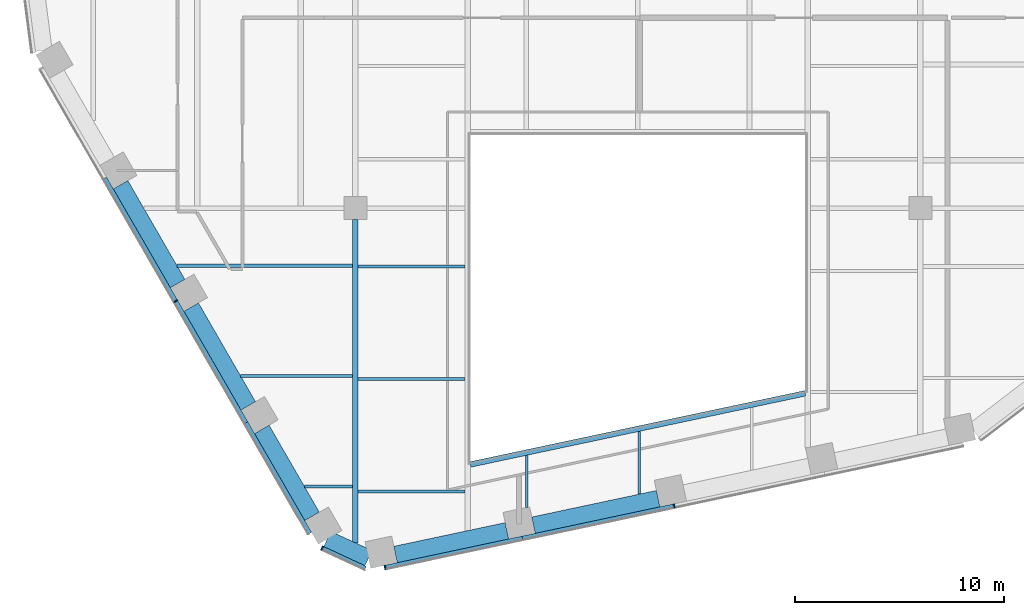
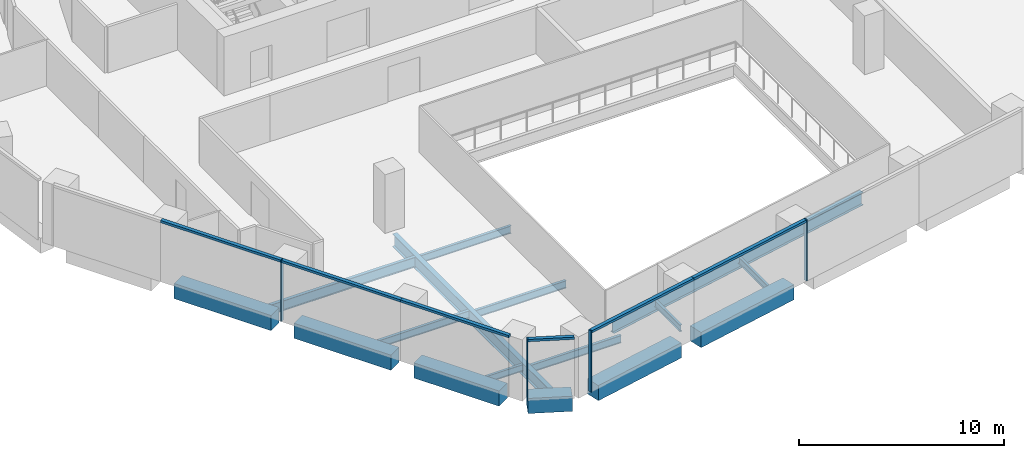
# One storey, part 2 of 17: 16 beams, 10 members, 3 elements without a shape of their own.
"""IFC4 building model written with IfcOpenShell, lengths in metres."""

from ifc_helpers import new_model, si_unit, direction, frame, origin, origin_2d, place, context, subcontext, project, spatial, rectangle, i_section, extrude, material, layer, layer_set, material_profile, profile_set, type_object, element, aggregate, save


model = new_model("IFC4")

# Units and contexts
model_context = context("Model", 3, precision=1e-05, world=origin(), true_north=direction((0.0, 1.0)))
body_context = subcontext(model_context, "Body", "Model", "MODEL_VIEW")
ifc_project = project(units=[si_unit("LENGTHUNIT", "METRE"), si_unit("AREAUNIT", "SQUARE_METRE"), si_unit("VOLUMEUNIT", "CUBIC_METRE"), si_unit("PLANEANGLEUNIT", "RADIAN"), si_unit("MASSUNIT", "GRAM", prefix="KILO")], contexts=[model_context])

# Site, building, storey
site_placement = place(None, origin())
site = spatial("IfcSite", under=ifc_project, at=site_placement, CompositionType="ELEMENT")
building_placement = place(site_placement, origin())
building = spatial("IfcBuilding", under=site, at=building_placement, Name="Isthmus Gate Tower", CompositionType="ELEMENT")
storey_placement = place(building_placement, frame((0.0, 0.0, 181.75)))
storey = spatial("IfcBuildingStorey", under=building, at=storey_placement, Name="L45", CompositionType="ELEMENT", Elevation=181.75)

# Curtain wall, member
ifc_material_1 = material(Name="Aluminium, pale champagne anodised", Category="aluminium")
ifc_layer = layer(ifc_material_1, 0.199951171875)
ifc_layer_set = layer_set([ifc_layer], Name="CW-1 UNITISED CURTAIN WALL 200 DEEP")
curtain_wall_type = type_object("IfcCurtainWallType", Name="CW-1 UNITISED CURTAIN WALL 200 DEEP", PredefinedType="NOTDEFINED", material=ifc_layer_set)
curtain_wall_1_placement = place(storey_placement, origin())
curtain_wall_1 = element("IfcCurtainWall", 1, at=curtain_wall_1_placement, inside=storey, type_object=curtain_wall_type, Name="CW-1 SW L45", PredefinedType="NOTDEFINED")
ifc_material_2 = material(Name="Aluminium, pale champagne anodised", Category="aluminium")
ifc_material_profile_1 = material_profile(ifc_material_2, rectangle(XDim=0.06005859375, YDim=0.199951171875, at=origin_2d()), Name="60x200")
ifc_profile_set_1 = profile_set([ifc_material_profile_1], Name="Aluminium, pale champagne anodised")
member_type_1 = type_object("IfcMemberType", Name="CW-1 MULLION 60 X 200", PredefinedType="MULLION", material=ifc_profile_set_1)
member_1_placement = place(storey_placement, frame((-22.08935546875, -17.93994140625, 0.0), z_axis=(0.0, 0.0, 1.0), x_axis=(0.5, -0.866025403784, 0.0)))
member_1 = element("IfcMember", 2, at=member_1_placement, type_object=member_type_1, Name="CW-1 mullion", PredefinedType="MULLION", context=body_context, shape_type="SweptSolid", body=[
    extrude(rectangle(XDim=0.06005859375, YDim=0.199951171875, at=origin_2d()), origin(), (0.0, 0.0, 1.0), 3.64990234375),
])

curtain_wall_2_placement = place(storey_placement, origin())
curtain_wall_2 = element("IfcCurtainWall", 3, at=curtain_wall_2_placement, inside=storey, type_object=curtain_wall_type, Name="CW-1 SW-S L45", PredefinedType="NOTDEFINED")
member_2_placement = place(storey_placement, frame((-15.091064453125, -29.74755859375, 0.0), z_axis=(0.0, 0.0, 1.0), x_axis=(0.907256261367, -0.420578264073, 0.0)))
member_2 = element("IfcMember", 4, at=member_2_placement, type_object=member_type_1, Name="CW-1 mullion", PredefinedType="MULLION", context=body_context, shape_type="SweptSolid", body=[
    extrude(rectangle(XDim=0.06005859375, YDim=0.199951171875, at=origin_2d()), origin(), (0.0, 0.0, 1.0), 3.64990234375),
])

# Curtain wall, members
curtain_wall_3_placement = place(storey_placement, origin())
curtain_wall_3 = element("IfcCurtainWall", 5, at=curtain_wall_3_placement, inside=storey, type_object=curtain_wall_type, Name="CW-1 S L45", PredefinedType="NOTDEFINED")
member_3_placement = place(storey_placement, frame((-12.082763671875, -30.67041015625, 0.0), z_axis=(0.0, 0.0, 1.0), x_axis=(0.978147600734, 0.207911690818, 0.0)))
member_3 = element("IfcMember", 6, at=member_3_placement, type_object=member_type_1, Name="CW-1 mullion", PredefinedType="MULLION", context=body_context, shape_type="SweptSolid", body=[
    extrude(rectangle(XDim=0.06005859375, YDim=0.199951171875, at=origin_2d()), origin(), (0.0, 0.0, 1.0), 3.64990234375),
])
member_4_placement = place(storey_placement, frame((1.740234375, -27.732421875, 0.0), z_axis=(0.0, 0.0, 1.0), x_axis=(0.978147600734, 0.207911690818, 0.0)))
member_4 = element("IfcMember", 7, at=member_4_placement, type_object=member_type_1, Name="CW-1 mullion", PredefinedType="MULLION", context=body_context, shape_type="SweptSolid", body=[
    extrude(rectangle(XDim=0.06005859375, YDim=0.199951171875, at=origin_2d()), origin(), (0.0, 0.0, 1.0), 3.64990234375),
])

# Member
ifc_material_3 = material(Name="Aluminium, pale champagne anodised", Category="aluminium")
ifc_material_profile_2 = material_profile(ifc_material_3, rectangle(XDim=0.199951171875, YDim=0.139892578125, at=origin_2d()), Name="200x140")
ifc_profile_set_2 = profile_set([ifc_material_profile_2], Name="Aluminium, pale champagne anodised")
member_type_2 = type_object("IfcMemberType", Name="CW-1 TRANSOM 200 X 140", PredefinedType="USERDEFINED", material=ifc_profile_set_2)
member_5_placement = place(storey_placement, frame((-25.4794921875, -12.068115234375, 3.580078125), z_axis=(0.49998230858, -0.86603561769, 0.0), x_axis=(0.86603561769, 0.49998230858, 0.0)))
member_5 = element("IfcMember", 8, at=member_5_placement, type_object=member_type_2, Name="CW-1 transom", ObjectType="TRANSOM", PredefinedType="USERDEFINED", context=body_context, shape_type="SweptSolid", body=[
    extrude(rectangle(XDim=0.199951171875, YDim=0.139892578125, at=origin_2d()), origin(), (0.0, 0.0, 1.0), 6.750244140625),
])

member_6_placement = place(storey_placement, frame((-22.074462890625, -17.9658203125, 3.580078125), z_axis=(0.499981482168, -0.866036094796, 0.0), x_axis=(0.866036094796, 0.499981482168, 0.0)))
member_6 = element("IfcMember", 9, at=member_6_placement, type_object=member_type_2, Name="CW-1 transom", ObjectType="TRANSOM", PredefinedType="USERDEFINED", context=body_context, shape_type="SweptSolid", body=[
    extrude(rectangle(XDim=0.199951171875, YDim=0.139892578125, at=origin_2d()), origin(), (0.0, 0.0, 1.0), 6.690185546875),
])

member_7_placement = place(storey_placement, frame((-18.7294921875, -23.759765625, 3.580078125), z_axis=(0.499991521122, -0.866030299012, 0.0), x_axis=(0.866030299012, 0.499991521122, 0.0)))
member_7 = element("IfcMember", 10, at=member_7_placement, type_object=member_type_2, Name="CW-1 transom", ObjectType="TRANSOM", PredefinedType="USERDEFINED", context=body_context, shape_type="SweptSolid", body=[
    extrude(rectangle(XDim=0.199951171875, YDim=0.139892578125, at=origin_2d()), origin(), (0.0, 0.0, 1.0), 6.10009765625),
])

aggregate(curtain_wall_1, [member_5, member_1, member_6, member_7])

member_8_placement = place(storey_placement, frame((-15.06396484375, -29.76025390625, 3.580078125), z_axis=(0.907246225564, -0.420599912268, 0.0), x_axis=(0.420599912268, 0.907246225564, 0.0)))
member_8 = element("IfcMember", 11, at=member_8_placement, type_object=member_type_2, Name="CW-1 transom", ObjectType="TRANSOM", PredefinedType="USERDEFINED", context=body_context, shape_type="SweptSolid", body=[
    extrude(rectangle(XDim=0.199951171875, YDim=0.139892578125, at=origin_2d()), origin(), (0.0, 0.0, 1.0), 2.258544921875),
])

aggregate(curtain_wall_2, [member_2, member_8])

member_9_placement = place(storey_placement, frame((-12.05322265625, -30.664306640625, 3.580078125), z_axis=(0.97814231579, 0.207936552972, 0.0), x_axis=(-0.207936552972, 0.97814231579, 0.0)))
member_9 = element("IfcMember", 12, at=member_9_placement, type_object=member_type_2, Name="CW-1 transom", ObjectType="TRANSOM", PredefinedType="USERDEFINED", context=body_context, shape_type="SweptSolid", body=[
    extrude(rectangle(XDim=0.199951171875, YDim=0.139892578125, at=origin_2d()), origin(), (0.0, 0.0, 1.0), 6.6806640625),
])

member_10_placement = place(storey_placement, frame((-5.5185546875, -29.275146484375, 3.580078125), z_axis=(0.978147683684, 0.207911300568, 0.0), x_axis=(-0.207911300568, 0.978147683684, 0.0)))
member_10 = element("IfcMember", 13, at=member_10_placement, type_object=member_type_2, Name="CW-1 transom", ObjectType="TRANSOM", PredefinedType="USERDEFINED", context=body_context, shape_type="SweptSolid", body=[
    extrude(rectangle(XDim=0.199951171875, YDim=0.139892578125, at=origin_2d()), origin(), (0.0, 0.0, 1.0), 7.390869140625),
])

aggregate(curtain_wall_3, [member_3, member_9, member_10, member_4])

# Beams
ifc_material_4 = material(Name="Concrete f'c 60 MPa", Category="concrete")
ifc_material_profile_3 = material_profile(ifc_material_4, rectangle(XDim=0.800048828125, YDim=0.89990234375, at=origin_2d()), Name="RC 800X900")
ifc_profile_set_3 = profile_set([ifc_material_profile_3], Name="Concrete f'c 60 MPa")
beam_type_1 = type_object("IfcBeamType", Name="RC SPANDREL 800 X 900", PredefinedType="SPANDREL", material=ifc_profile_set_3)
beam_1_placement = place(storey_placement, frame((0.970947265625, -27.384765625, -0.449951171875), z_axis=(-0.978146012851, -0.207919161079, 0.0), x_axis=(0.207919161079, -0.978146012851, 0.0)))
element("IfcBeam", 14, at=beam_1_placement, inside=storey, type_object=beam_type_1, Name="str-spandrel-L45-13", PredefinedType="SPANDREL", context=body_context, shape_type="SweptSolid", body=[
    extrude(rectangle(XDim=0.800048828125, YDim=0.89990234375, at=origin_2d()), origin(), (0.0, 0.0, 1.0), 6.090576171875),
])
beam_2_placement = place(storey_placement, frame((-6.25830078125, -28.92138671875, -0.449951171875), z_axis=(-0.978150410773, -0.207898470186, 0.0), x_axis=(0.207898470186, -0.978150410773, 0.0)))
element("IfcBeam", 15, at=beam_2_placement, inside=storey, type_object=beam_type_1, Name="str-spandrel-L45-14", PredefinedType="SPANDREL", context=body_context, shape_type="SweptSolid", body=[
    extrude(rectangle(XDim=0.800048828125, YDim=0.89990234375, at=origin_2d()), origin(), (0.0, 0.0, 1.0), 5.440673828125),
])
beam_3_placement = place(storey_placement, frame((-12.87255859375, -30.224853515625, -0.449951171875), z_axis=(-0.907290744498, 0.420503870314, 0.0), x_axis=(-0.420503870314, -0.907290744498, 0.0)))
element("IfcBeam", 16, at=beam_3_placement, inside=storey, type_object=beam_type_1, Name="str-spandrel-L45-15", PredefinedType="SPANDREL", context=body_context, shape_type="SweptSolid", body=[
    extrude(rectangle(XDim=0.800048828125, YDim=0.89990234375, at=origin_2d()), origin(), (0.0, 0.0, 1.0), 2.173095703125),
])
beam_4_placement = place(storey_placement, frame((-15.5712890625, -28.229736328125, -0.449951171875), z_axis=(-0.500017431331, 0.866015339567, 0.0), x_axis=(-0.866015339567, -0.500017431331, 0.0)))
element("IfcBeam", 17, at=beam_4_placement, inside=storey, type_object=beam_type_1, Name="str-spandrel-L45-16", PredefinedType="SPANDREL", context=body_context, shape_type="SweptSolid", body=[
    extrude(rectangle(XDim=0.800048828125, YDim=0.89990234375, at=origin_2d()), origin(), (0.0, 0.0, 1.0), 4.800048828125),
])
for number, where, z_axis, x_axis, name in (
    (18, (-18.621337890625, -22.94677734375, -0.449951171875), (-0.500002931134, 0.866023711487, 0.0), (-0.866023711487, -0.500002931134, 0.0), "str-spandrel-L45-17"),
    (19, (-21.996337890625, -17.10107421875, -0.449951171875), (-0.500002931134, 0.866023711487, 0.0), (-0.866023711487, -0.500002931134, 0.0), "str-spandrel-L45-18"),
):
    element("IfcBeam", number, at=place(storey_placement, frame(where, z_axis=z_axis, x_axis=x_axis)), inside=storey, type_object=beam_type_1, Name=name, PredefinedType="SPANDREL", context=body_context, shape_type="SweptSolid", body=[
        extrude(rectangle(XDim=0.800048828125, YDim=0.89990234375, at=origin_2d()), origin(), (0.0, 0.0, 1.0), 5.4501953125),
    ])
ifc_material_5 = material(Name="Structural steel ASTM A992 Gr 50", Category="steel")
ifc_material_profile_4 = material_profile(ifc_material_5, i_section(OverallWidth=0.1396484375, OverallDepth=0.4033203125, WebThickness=0.00634765625, FlangeThickness=0.010986328125, at=origin_2d()), Name="W16X31")
ifc_profile_set_4 = profile_set([ifc_material_profile_4], Name="Structural steel ASTM A992 Gr 50")
beam_type_2 = type_object("IfcBeamType", Name="STEEL FLOOR BEAM W16X31", PredefinedType="JOIST", material=ifc_profile_set_4)
beam_5_placement = place(storey_placement, frame((-15.937744140625, -26.795166015625, -0.3515625), z_axis=(1.0, 0.0, 0.0), x_axis=(0.0, 1.0, 0.0)))
element("IfcBeam", 20, at=beam_5_placement, inside=storey, type_object=beam_type_2, Name="str-beam-L45-02-00", PredefinedType="JOIST", context=body_context, shape_type="SweptSolid", body=[
    extrude(i_section(OverallWidth=0.1396484375, OverallDepth=0.4033203125, WebThickness=0.00634765625, FlangeThickness=0.010986328125, at=origin_2d()), origin(), (0.0, 0.0, 1.0), 2.304443359375),
])
beam_6_placement = place(storey_placement, frame((-5.311279296875, -27.7998046875, -0.3515625), z_axis=(0.0, 1.0, 0.0), x_axis=(-1.0, 0.0, 0.0)))
element("IfcBeam", 21, at=beam_6_placement, inside=storey, type_object=beam_type_2, Name="str-beam-L45-07-00", PredefinedType="JOIST", context=body_context, shape_type="SweptSolid", body=[
    extrude(i_section(OverallWidth=0.1396484375, OverallDepth=0.4033203125, WebThickness=0.00634765625, FlangeThickness=0.010986328125, at=origin_2d()), origin(), (0.0, 0.0, 1.0), 2.487548828125),
])
beam_7_placement = place(storey_placement, frame((0.06591796875, -27.168212890625, -0.3515625), z_axis=(0.0, 1.0, 0.0), x_axis=(-1.0, 0.0, 0.0)))
element("IfcBeam", 22, at=beam_7_placement, inside=storey, type_object=beam_type_2, Name="str-beam-L45-07-01", PredefinedType="JOIST", context=body_context, shape_type="SweptSolid", body=[
    extrude(i_section(OverallWidth=0.1396484375, OverallDepth=0.4033203125, WebThickness=0.00634765625, FlangeThickness=0.010986328125, at=origin_2d()), origin(), (0.0, 0.0, 1.0), 2.9990234375),
])
ifc_material_6 = material(Name="Structural steel ASTM A992 Gr 50", Category="steel")
ifc_material_profile_5 = material_profile(ifc_material_6, i_section(OverallWidth=0.15234375, OverallDepth=0.45068359375, WebThickness=0.0078125, FlangeThickness=0.010986328125, at=origin_2d()), Name="W18X35")
ifc_profile_set_5 = profile_set([ifc_material_profile_5], Name="Structural steel ASTM A992 Gr 50")
beam_type_3 = type_object("IfcBeamType", Name="STEEL FLOOR BEAM W18X35", PredefinedType="JOIST", material=ifc_profile_set_5)
beam_8_placement = place(storey_placement, frame((-18.981689453125, -21.52294921875, -0.37548828125), z_axis=(1.0, 0.0, 0.0), x_axis=(0.0, 1.0, 0.0)))
element("IfcBeam", 23, at=beam_8_placement, inside=storey, type_object=beam_type_3, Name="str-beam-L45-02-01", PredefinedType="JOIST", context=body_context, shape_type="SweptSolid", body=[
    extrude(i_section(OverallWidth=0.15234375, OverallDepth=0.45068359375, WebThickness=0.0078125, FlangeThickness=0.010986328125, at=origin_2d()), origin(), (0.0, 0.0, 1.0), 5.348388671875),
])
for number, where, z_axis, x_axis, name in (
    (24, (-13.36669921875, -27.04736328125, -0.37548828125), (1.0, 0.0, 0.0), (0.0, 1.0, 0.0), "str-beam-L45-03-00"),
    (25, (-13.36669921875, -21.67041015625, -0.37548828125), (1.0, 0.0, 0.0), (0.0, 1.0, 0.0), "str-beam-L45-03-01"),
    (26, (-13.36669921875, -16.293212890625, -0.37548828125), (1.0, 0.0, 0.0), (0.0, 1.0, 0.0), "str-beam-L45-03-02"),
):
    element("IfcBeam", number, at=place(storey_placement, frame(where, z_axis=z_axis, x_axis=x_axis)), inside=storey, type_object=beam_type_3, Name=name, PredefinedType="JOIST", context=body_context, shape_type="SweptSolid", body=[
        extrude(i_section(OverallWidth=0.15234375, OverallDepth=0.45068359375, WebThickness=0.0078125, FlangeThickness=0.010986328125, at=origin_2d()), origin(), (0.0, 0.0, 1.0), 5.10009765625),
    ])
ifc_material_7 = material(Name="Structural steel ASTM A992 Gr 50", Category="steel")
ifc_material_profile_6 = material_profile(ifc_material_7, i_section(OverallWidth=0.177734375, OverallDepth=0.60009765625, WebThickness=0.009521484375, FlangeThickness=0.0126953125, at=origin_2d()), Name="W24X55")
ifc_profile_set_6 = profile_set([ifc_material_profile_6], Name="Structural steel ASTM A992 Gr 50")
beam_type_4 = type_object("IfcBeamType", Name="STEEL FLOOR BEAM W24X55", PredefinedType="JOIST", material=ifc_profile_set_6)
beam_9_placement = place(storey_placement, frame((-22.025634765625, -16.25048828125, -0.449951171875), z_axis=(1.0, 0.0, 0.0), x_axis=(0.0, 1.0, 0.0)))
element("IfcBeam", 27, at=beam_9_placement, inside=storey, type_object=beam_type_4, Name="str-beam-L45-02-02", PredefinedType="JOIST", context=body_context, shape_type="SweptSolid", body=[
    extrude(i_section(OverallWidth=0.177734375, OverallDepth=0.60009765625, WebThickness=0.009521484375, FlangeThickness=0.0126953125, at=origin_2d()), origin(), (0.0, 0.0, 1.0), 8.392333984375),
])
ifc_material_8 = material(Name="Structural steel ASTM A992 Gr 50", Category="steel")
ifc_material_profile_7 = material_profile(ifc_material_8, i_section(OverallWidth=0.2666015625, OverallDepth=0.7587890625, WebThickness=0.014404296875, FlangeThickness=0.01904296875, at=origin_2d()), Name="W30X108")
ifc_profile_set_7 = profile_set([ifc_material_profile_7], Name="Structural steel ASTM A992 Gr 50")
beam_type_5 = type_object("IfcBeamType", Name="STEEL GIRDER W30X108", PredefinedType="BEAM", material=ifc_profile_set_7)
beam_10_placement = place(storey_placement, frame((-13.5, -29.4931640625, -0.529296875), z_axis=(0.0, 1.0, 0.0), x_axis=(-1.0, 0.0, 0.0)))
element("IfcBeam", 28, at=beam_10_placement, inside=storey, type_object=beam_type_5, Name="str-girder-L45-07", PredefinedType="BEAM", context=body_context, shape_type="SweptSolid", body=[
    extrude(i_section(OverallWidth=0.2666015625, OverallDepth=0.7587890625, WebThickness=0.014404296875, FlangeThickness=0.01904296875, at=origin_2d()), origin(), (0.0, 0.0, 1.0), 15.443115234375),
])
ifc_material_9 = material(Name="Structural steel ASTM A992 Gr 50", Category="steel")
ifc_material_profile_8 = material_profile(ifc_material_9, i_section(OverallWidth=0.2666015625, OverallDepth=0.7587890625, WebThickness=0.014404296875, FlangeThickness=0.01904296875, at=origin_2d()), Name="W30X108")
ifc_profile_set_8 = profile_set([ifc_material_profile_8], Name="Structural steel ASTM A992 Gr 50")
beam_type_6 = type_object("IfcBeamType", Name="STEEL TRIMMER W30X108", PredefinedType="BEAM", material=ifc_profile_set_8)
beam_11_placement = place(storey_placement, frame((-8.0, -25.747314453125, -0.529296875), z_axis=(0.978147924985, 0.20791016533, 0.0), x_axis=(-0.20791016533, 0.978147924985, 0.0)))
element("IfcBeam", 29, at=beam_11_placement, inside=storey, type_object=beam_type_6, Name="str-trimmer-L45-03", PredefinedType="BEAM", context=body_context, shape_type="SweptSolid", body=[
    extrude(i_section(OverallWidth=0.2666015625, OverallDepth=0.7587890625, WebThickness=0.014404296875, FlangeThickness=0.01904296875, at=origin_2d()), origin(), (0.0, 0.0, 1.0), 16.357421875),
])

save(model, "model.ifc")
